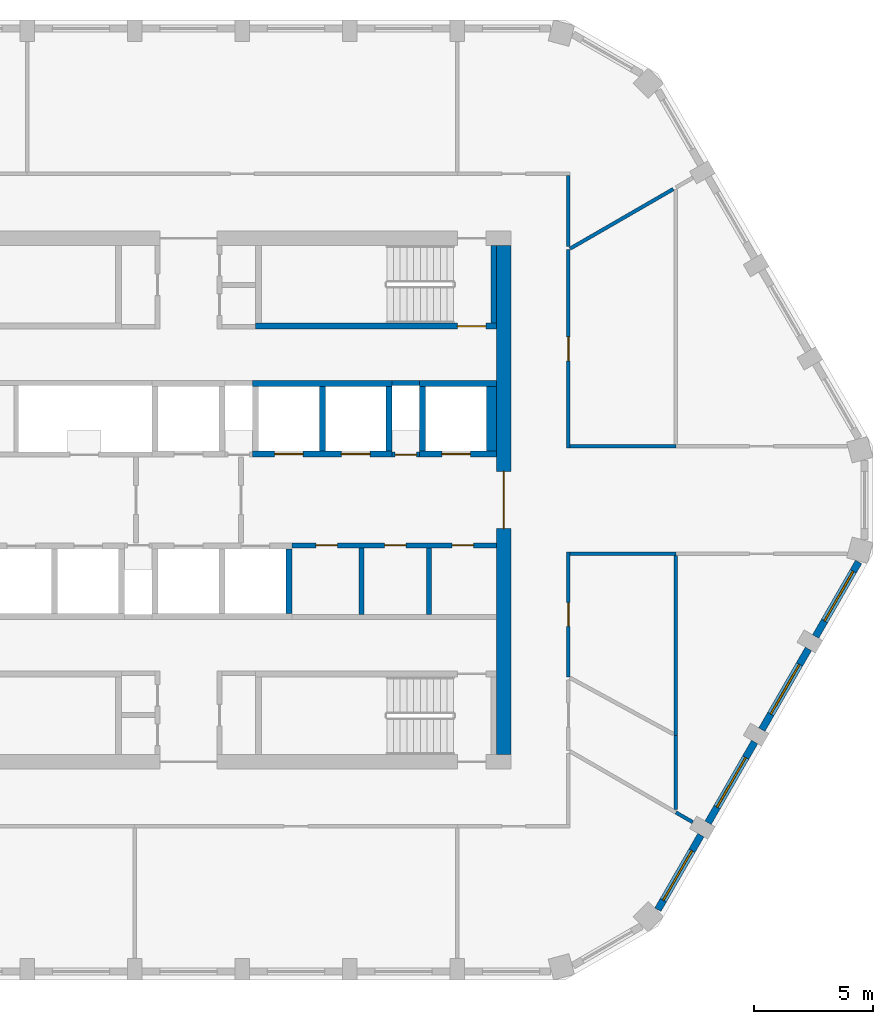
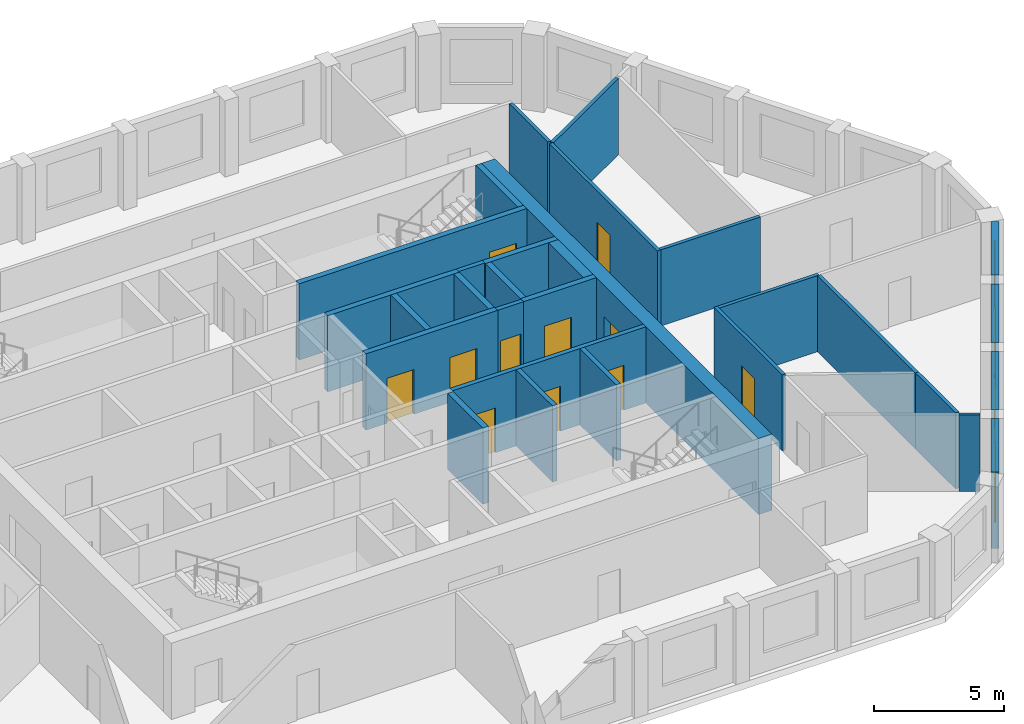
# One storey, part 5 of 9: 30 walls, 11 doors, 4 windows, 15 openings.
"""IFC4 building model written with IfcOpenShell, lengths in metres."""

from ifc_helpers import new_model, si_unit, direction, frame, frame_2d, origin, place, context, subcontext, project, spatial, polyline, rectangle, outline, extrude, material, layer, layer_set, type_object, element, fill, save


model = new_model("IFC4")

# Units and contexts
model_context = context("Model", 3, precision=1e-05, world=origin(), true_north=direction((0.0, 1.0)))
body_context = subcontext(model_context, "Body", "Model", "MODEL_VIEW")
ifc_project = project(units=[si_unit("LENGTHUNIT", "METRE"), si_unit("AREAUNIT", "SQUARE_METRE"), si_unit("VOLUMEUNIT", "CUBIC_METRE"), si_unit("PLANEANGLEUNIT", "RADIAN"), si_unit("MASSUNIT", "GRAM", prefix="KILO")], contexts=[model_context])

# Site, building, storey
site_placement = place(None, origin())
site = spatial("IfcSite", under=ifc_project, at=site_placement, CompositionType="ELEMENT")
building_placement = place(site_placement, origin())
building = spatial("IfcBuilding", under=site, at=building_placement, Name="Dhurran Vertical Campus", CompositionType="ELEMENT")
storey_placement = place(building_placement, frame((0.0, 0.0, 290.39990234375)))
storey = spatial("IfcBuildingStorey", under=building, at=storey_placement, Name="L72", CompositionType="ELEMENT", Elevation=290.39990234375)

# Wall, opening, window
ifc_material_1 = material(Name="Precast concrete C50/60", Category="concrete")
ifc_layer_1 = layer(ifc_material_1, 0.300048828125)
ifc_layer_set_1 = layer_set([ifc_layer_1], Name="Precast concrete C50/60")
wall_type_1 = type_object("IfcWallType", Name="Precast spandrel wall 300", PredefinedType="SOLIDWALL", material=ifc_layer_set_1)
wall_1_placement = place(storey_placement, frame((19.64404296875, -17.143798828125, 0.0), z_axis=(0.0, 0.0, 1.0), x_axis=(0.50001992892, 0.866013897511, 0.0)))
wall_1 = element("IfcWall", 1, at=wall_1_placement, inside=storey, type_object=wall_type_1, Name="EW1 L72.08", PredefinedType="SOLIDWALL", context=body_context, shape_type="SweptSolid", body=[
    extrude(rectangle(XDim=3.599365234375, YDim=0.300048828125, at=frame_2d((1.7998046875, 0.0))), origin(), (0.0, 0.0, 1.0), 3.5751953125),
])
opening_1_placement = place(wall_1_placement, frame((0.449951171875, 0.0, 0.89990234375)))
opening_1 = element("IfcOpeningElement", 2, at=opening_1_placement, cuts=wall_1, Name="Opening WT1", PredefinedType="OPENING", context=body_context, shape_type="SweptSolid", body=[
    extrude(rectangle(XDim=2.39990234375, YDim=2.10009765625, at=frame_2d((1.199951171875, 1.050048828125))), frame((0.0, 0.159912109375, 0.0), z_axis=(0.0, -1.0, 0.0), x_axis=(1.0, 0.0, 0.0)), (0.0, 0.0, 1.0), 0.320068359375),
])
ifc_material_2 = material(Name="Aluminium frame with solar-control glass", Category="aluminium")
window_type = type_object("IfcWindowType", Name="Punched window 2400 x 2100", PartitioningType="SINGLE_PANEL", PredefinedType="WINDOW", material=ifc_material_2)
window_1_placement = place(opening_1_placement, origin())
window_1 = element("IfcWindow", 3, at=window_1_placement, inside=storey, type_object=window_type, Name="WT1 L72.08", OverallHeight=2.10009765625, OverallWidth=2.39990234375, PartitioningType="SINGLE_PANEL", PredefinedType="WINDOW", context=body_context, shape_type="SweptSolid", body=[
    extrude(rectangle(XDim=2.39990234375, YDim=2.10009765625, at=frame_2d((1.199951171875, 1.050048828125))), frame((0.0, 0.030029296875, 0.0), z_axis=(0.0, -1.0, 0.0), x_axis=(1.0, 0.0, 0.0)), (0.0, 0.0, 1.0), 0.06005859375),
])
fill(opening_1, window_1)

wall_2_placement = place(storey_placement, frame((21.744384765625, -13.506103515625, 0.0), z_axis=(0.0, 0.0, 1.0), x_axis=(0.499984428715, 0.866034393683, 0.0)))
wall_2 = element("IfcWall", 4, at=wall_2_placement, inside=storey, type_object=wall_type_1, Name="EW1 L72.09", PredefinedType="SOLIDWALL", context=body_context, shape_type="SweptSolid", body=[
    extrude(rectangle(XDim=3.89892578125, YDim=0.300048828125, at=frame_2d((1.949462890625, 0.0))), origin(), (0.0, 0.0, 1.0), 3.5751953125),
])
opening_2_placement = place(wall_2_placement, frame((0.74951171875, 0.0, 0.89990234375)))
opening_2 = element("IfcOpeningElement", 5, at=opening_2_placement, cuts=wall_2, Name="Opening WT1", PredefinedType="OPENING", context=body_context, shape_type="SweptSolid", body=[
    extrude(rectangle(XDim=2.39990234375, YDim=2.10009765625, at=frame_2d((1.199951171875, 1.050048828125))), frame((0.0, 0.159912109375, 0.0), z_axis=(0.0, -1.0, 0.0), x_axis=(1.0, 0.0, 0.0)), (0.0, 0.0, 1.0), 0.320068359375),
])
window_2_placement = place(opening_2_placement, origin())
window_2 = element("IfcWindow", 6, at=window_2_placement, inside=storey, type_object=window_type, Name="WT1 L72.09", OverallHeight=2.10009765625, OverallWidth=2.39990234375, PartitioningType="SINGLE_PANEL", PredefinedType="WINDOW", context=body_context, shape_type="SweptSolid", body=[
    extrude(rectangle(XDim=2.39990234375, YDim=2.10009765625, at=frame_2d((1.199951171875, 1.050048828125))), frame((0.0, 0.030029296875, 0.0), z_axis=(0.0, -1.0, 0.0), x_axis=(1.0, 0.0, 0.0)), (0.0, 0.0, 1.0), 0.06005859375),
])
fill(opening_2, window_2)

wall_3_placement = place(storey_placement, frame((23.994384765625, -9.60888671875, 0.0), z_axis=(0.0, 0.0, 1.0), x_axis=(0.500011542666, 0.866018739521, 0.0)))
wall_3 = element("IfcWall", 7, at=wall_3_placement, inside=storey, type_object=wall_type_1, Name="EW1 L72.10", PredefinedType="SOLIDWALL", context=body_context, shape_type="SweptSolid", body=[
    extrude(rectangle(XDim=3.89892578125, YDim=0.300048828125, at=frame_2d((1.949462890625, 0.0))), origin(), (0.0, 0.0, 1.0), 3.5751953125),
])
opening_3_placement = place(wall_3_placement, frame((0.74951171875, 0.0, 0.89990234375)))
opening_3 = element("IfcOpeningElement", 8, at=opening_3_placement, cuts=wall_3, Name="Opening WT1", PredefinedType="OPENING", context=body_context, shape_type="SweptSolid", body=[
    extrude(rectangle(XDim=2.39990234375, YDim=2.10009765625, at=frame_2d((1.199951171875, 1.050048828125))), frame((0.0, 0.159912109375, 0.0), z_axis=(0.0, -1.0, 0.0), x_axis=(1.0, 0.0, 0.0)), (0.0, 0.0, 1.0), 0.320068359375),
])
window_3_placement = place(opening_3_placement, origin())
window_3 = element("IfcWindow", 9, at=window_3_placement, inside=storey, type_object=window_type, Name="WT1 L72.10", OverallHeight=2.10009765625, OverallWidth=2.39990234375, PartitioningType="SINGLE_PANEL", PredefinedType="WINDOW", context=body_context, shape_type="SweptSolid", body=[
    extrude(rectangle(XDim=2.39990234375, YDim=2.10009765625, at=frame_2d((1.199951171875, 1.050048828125))), frame((0.0, 0.030029296875, 0.0), z_axis=(0.0, -1.0, 0.0), x_axis=(1.0, 0.0, 0.0)), (0.0, 0.0, 1.0), 0.06005859375),
])
fill(opening_3, window_3)

wall_4_placement = place(storey_placement, frame((26.244384765625, -5.7119140625, 0.0), z_axis=(0.0, 0.0, 1.0), x_axis=(0.499969057507, 0.866043267704, 0.0)))
wall_4 = element("IfcWall", 10, at=wall_4_placement, inside=storey, type_object=wall_type_1, Name="EW1 L72.11", PredefinedType="SOLIDWALL", context=body_context, shape_type="SweptSolid", body=[
    extrude(rectangle(XDim=3.599365234375, YDim=0.300048828125, at=frame_2d((1.7998046875, 0.0))), origin(), (0.0, 0.0, 1.0), 3.5751953125),
])
opening_4_placement = place(wall_4_placement, frame((0.74951171875, 0.0, 0.89990234375)))
opening_4 = element("IfcOpeningElement", 11, at=opening_4_placement, cuts=wall_4, Name="Opening WT1", PredefinedType="OPENING", context=body_context, shape_type="SweptSolid", body=[
    extrude(rectangle(XDim=2.39990234375, YDim=2.10009765625, at=frame_2d((1.199951171875, 1.050048828125))), frame((0.0, 0.159912109375, 0.0), z_axis=(0.0, -1.0, 0.0), x_axis=(1.0, 0.0, 0.0)), (0.0, 0.0, 1.0), 0.320068359375),
])
window_4_placement = place(opening_4_placement, origin())
window_4 = element("IfcWindow", 12, at=window_4_placement, inside=storey, type_object=window_type, Name="WT1 L72.11", OverallHeight=2.10009765625, OverallWidth=2.39990234375, PartitioningType="SINGLE_PANEL", PredefinedType="WINDOW", context=body_context, shape_type="SweptSolid", body=[
    extrude(rectangle(XDim=2.39990234375, YDim=2.10009765625, at=frame_2d((1.199951171875, 1.050048828125))), frame((0.0, 0.030029296875, 0.0), z_axis=(0.0, -1.0, 0.0), x_axis=(1.0, 0.0, 0.0)), (0.0, 0.0, 1.0), 0.06005859375),
])
fill(opening_4, window_4)

# Wall, opening, door
ifc_material_3 = material(Name="Concrete C50/60", Category="concrete")
ifc_layer_2 = layer(ifc_material_3, 0.60009765625)
ifc_layer_set_2 = layer_set([ifc_layer_2], Name="Concrete C50/60")
wall_type_2 = type_object("IfcWallType", Name="co-CORE-WALL-C2-600", PredefinedType="SHEAR", material=ifc_layer_set_2)
wall_5_placement = place(storey_placement, frame((13.199951171875, -10.64990234375, 0.0), z_axis=(0.0, 0.0, 1.0), x_axis=(0.0, 1.0, 0.0)))
wall_5 = element("IfcWall", 13, at=wall_5_placement, inside=storey, type_object=wall_type_2, Name="Core wall E L72", PredefinedType="SHEAR", context=body_context, shape_type="SweptSolid", body=[
    extrude(rectangle(XDim=21.2998046875, YDim=0.60009765625, at=frame_2d((10.64990234375, 0.0))), origin(), (0.0, 0.0, 1.0), 3.5751953125),
])
opening_5_placement = place(wall_5_placement, frame((9.449951171875, 0.0, 0.0)))
opening_5 = element("IfcOpeningElement", 14, at=opening_5_placement, cuts=wall_5, Name="Opening CL2", PredefinedType="OPENING", context=body_context, shape_type="SweptSolid", body=[
    extrude(rectangle(XDim=2.39990234375, YDim=2.10009765625, at=frame_2d((1.199951171875, 1.050048828125))), frame((0.0, 0.31005859375, 0.0), z_axis=(0.0, -1.0, 0.0), x_axis=(1.0, 0.0, 0.0)), (0.0, 0.0, 1.0), 0.6201171875),
])
ifc_material_4 = material(Name="Fire-rated glazed door set")
door_type_1 = type_object("IfcDoorType", Name="co-D-LOBBY 2400x2100", OperationType="DOUBLE_DOOR_DOUBLE_SWING", PredefinedType="DOOR", material=ifc_material_4)
door_1_placement = place(opening_5_placement, origin())
door_1 = element("IfcDoor", 15, at=door_1_placement, inside=storey, type_object=door_type_1, Name="Lift lobby door E L72", OperationType="DOUBLE_DOOR_DOUBLE_SWING", OverallHeight=2.10009765625, OverallWidth=2.39990234375, PredefinedType="DOOR", context=body_context, shape_type="SweptSolid", body=[
    extrude(rectangle(XDim=2.39990234375, YDim=2.10009765625, at=frame_2d((1.199951171875, 1.050048828125))), frame((0.0, 0.02490234375, 0.0), z_axis=(0.0, -1.0, 0.0), x_axis=(1.0, 0.0, 0.0)), (0.0, 0.0, 1.0), 0.050048828125),
])
fill(opening_5, door_1)

ifc_material_5 = material(Name="Fire-rated masonry blockwork", Category="masonry")
ifc_layer_3 = layer(ifc_material_5, 0.199951171875)
ifc_layer_set_3 = layer_set([ifc_layer_3], Name="Fire-rated masonry blockwork")
wall_type_3 = type_object("IfcWallType", Name="co-FIRE-PARTITION-200", PredefinedType="PARTITIONING", material=ifc_layer_set_3)
wall_6_placement = place(storey_placement, frame((8.52490234375, 1.89990234375, 0.0), z_axis=(0.0, 0.0, 1.0), x_axis=(1.0, 0.0, 0.0)))
wall_6 = element("IfcWall", 16, at=wall_6_placement, inside=storey, type_object=wall_type_3, Name="Core partition fr-N2-f L72", PredefinedType="PARTITIONING", context=body_context, shape_type="SweptSolid", body=[
    extrude(rectangle(XDim=1.150146484375, YDim=0.199951171875, at=frame_2d((0.5751953125, 0.0))), origin(), (0.0, 0.0, 1.0), 3.5751953125),
])
opening_6_placement = place(wall_6_placement, frame((0.125, 0.0, 0.0)))
opening_6 = element("IfcOpeningElement", 17, at=opening_6_placement, cuts=wall_6, Name="Opening T21-C10", PredefinedType="OPENING", context=body_context, shape_type="SweptSolid", body=[
    extrude(rectangle(XDim=0.89990234375, YDim=2.10009765625, at=frame_2d((0.449951171875, 1.050048828125))), frame((0.0, 0.10986328125, 0.0), z_axis=(0.0, -1.0, 0.0), x_axis=(1.0, 0.0, 0.0)), (0.0, 0.0, 1.0), 0.219970703125),
])
ifc_material_6 = material(Name="Fire-rated timber door set", Category="wood")
door_type_2 = type_object("IfcDoorType", Name="co-D-ROOM 900x2100", OperationType="SINGLE_SWING_LEFT", PredefinedType="DOOR", material=ifc_material_6)
door_2_placement = place(opening_6_placement, origin())
door_2 = element("IfcDoor", 18, at=door_2_placement, inside=storey, type_object=door_type_2, Name="Communications riser door L72", OperationType="SINGLE_SWING_LEFT", OverallHeight=2.10009765625, OverallWidth=0.89990234375, PredefinedType="DOOR", context=body_context, shape_type="SweptSolid", body=[
    extrude(rectangle(XDim=0.89990234375, YDim=2.10009765625, at=frame_2d((0.449951171875, 1.050048828125))), frame((0.0, 0.02490234375, 0.0), z_axis=(0.0, -1.0, 0.0), x_axis=(1.0, 0.0, 0.0)), (0.0, 0.0, 1.0), 0.050048828125),
])
fill(opening_6, door_2)

# Walls
wall_7_placement = place(storey_placement, frame((8.52490234375, 4.89990234375, 0.0), z_axis=(0.0, 0.0, 1.0), x_axis=(1.0, 0.0, 0.0)))
element("IfcWall", 19, at=wall_7_placement, inside=storey, type_object=wall_type_3, Name="Core partition fr-N2-b L72", PredefinedType="PARTITIONING", context=body_context, shape_type="SweptSolid", body=[
    extrude(rectangle(XDim=1.150146484375, YDim=0.199951171875, at=frame_2d((0.5751953125, 0.0))), origin(), (0.0, 0.0, 1.0), 3.5751953125),
])
for number, where, z_axis, x_axis, name in (
    (20, (7.240478515625, -4.800048828125, 0.0), (0.0, 0.0, 1.0), (0.0, 1.0, 0.0), "Core partition fr-S2-cut0 L72"),
    (21, (10.0703125, -4.800048828125, 0.0), (0.0, 0.0, 1.0), (0.0, 1.0, 0.0), "Core partition fr-S2-cut1 L72"),
):
    element("IfcWall", number, at=place(storey_placement, frame(where, z_axis=z_axis, x_axis=x_axis)), inside=storey, type_object=wall_type_3, Name=name, PredefinedType="PARTITIONING", context=body_context, shape_type="SweptSolid", body=[
        extrude(rectangle(XDim=2.800048828125, YDim=0.199951171875, at=frame_2d((1.39990234375, 0.0))), origin(), (0.0, 0.0, 1.0), 3.5751953125),
    ])

# Wall, openings, doors
wall_8_placement = place(storey_placement, frame((4.324951171875, -1.89990234375, 0.0), z_axis=(0.0, 0.0, 1.0), x_axis=(1.0, 0.0, 0.0)))
wall_8 = element("IfcWall", 22, at=wall_8_placement, inside=storey, type_object=wall_type_3, Name="Core partition fr-S2-f L72", PredefinedType="PARTITIONING", context=body_context, shape_type="SweptSolid", body=[
    extrude(rectangle(XDim=8.574951171875, YDim=0.199951171875, at=frame_2d((4.28759765625, 0.0))), origin(), (0.0, 0.0, 1.0), 3.5751953125),
])
opening_7_placement = place(wall_8_placement, frame((1.0078125, 0.0, 0.0)))
opening_7 = element("IfcOpeningElement", 23, at=opening_7_placement, cuts=wall_8, Name="Opening T21-C13", PredefinedType="OPENING", context=body_context, shape_type="SweptSolid", body=[
    extrude(rectangle(XDim=0.89990234375, YDim=2.10009765625, at=frame_2d((0.449951171875, 1.050048828125))), frame((0.0, 0.10986328125, 0.0), z_axis=(0.0, -1.0, 0.0), x_axis=(1.0, 0.0, 0.0)), (0.0, 0.0, 1.0), 0.219970703125),
])
opening_8_placement = place(wall_8_placement, frame((3.88037109375, 0.0, 0.0)))
opening_8 = element("IfcOpeningElement", 24, at=opening_8_placement, cuts=wall_8, Name="Opening T21-C14", PredefinedType="OPENING", context=body_context, shape_type="SweptSolid", body=[
    extrude(rectangle(XDim=0.89990234375, YDim=2.10009765625, at=frame_2d((0.449951171875, 1.050048828125))), frame((0.0, 0.10986328125, 0.0), z_axis=(0.0, -1.0, 0.0), x_axis=(1.0, 0.0, 0.0)), (0.0, 0.0, 1.0), 0.219970703125),
])
opening_9_placement = place(wall_8_placement, frame((6.710205078125, 0.0, 0.0)))
opening_9 = element("IfcOpeningElement", 25, at=opening_9_placement, cuts=wall_8, Name="Opening T21-C15", PredefinedType="OPENING", context=body_context, shape_type="SweptSolid", body=[
    extrude(rectangle(XDim=0.89990234375, YDim=2.10009765625, at=frame_2d((0.449951171875, 1.050048828125))), frame((0.0, 0.10986328125, 0.0), z_axis=(0.0, -1.0, 0.0), x_axis=(1.0, 0.0, 0.0)), (0.0, 0.0, 1.0), 0.219970703125),
])
door_3_placement = place(opening_7_placement, origin())
door_3 = element("IfcDoor", 26, at=door_3_placement, inside=storey, type_object=door_type_2, Name="Housekeeping store door L72", OperationType="SINGLE_SWING_LEFT", OverallHeight=2.10009765625, OverallWidth=0.89990234375, PredefinedType="DOOR", context=body_context, shape_type="SweptSolid", body=[
    extrude(rectangle(XDim=0.89990234375, YDim=2.10009765625, at=frame_2d((0.449951171875, 1.050048828125))), frame((0.0, 0.02490234375, 0.0), z_axis=(0.0, -1.0, 0.0), x_axis=(1.0, 0.0, 0.0)), (0.0, 0.0, 1.0), 0.050048828125),
])
fill(opening_7, door_3)
door_4_placement = place(opening_8_placement, origin())
door_4 = element("IfcDoor", 27, at=door_4_placement, inside=storey, type_object=door_type_2, Name="Print room door L72", OperationType="SINGLE_SWING_LEFT", OverallHeight=2.10009765625, OverallWidth=0.89990234375, PredefinedType="DOOR", context=body_context, shape_type="SweptSolid", body=[
    extrude(rectangle(XDim=0.89990234375, YDim=2.10009765625, at=frame_2d((0.449951171875, 1.050048828125))), frame((0.0, 0.02490234375, 0.0), z_axis=(0.0, -1.0, 0.0), x_axis=(1.0, 0.0, 0.0)), (0.0, 0.0, 1.0), 0.050048828125),
])
fill(opening_8, door_4)
door_5_placement = place(opening_9_placement, origin())
door_5 = element("IfcDoor", 28, at=door_5_placement, inside=storey, type_object=door_type_2, Name="Communications room door L72", OperationType="SINGLE_SWING_LEFT", OverallHeight=2.10009765625, OverallWidth=0.89990234375, PredefinedType="DOOR", context=body_context, shape_type="SweptSolid", body=[
    extrude(rectangle(XDim=0.89990234375, YDim=2.10009765625, at=frame_2d((0.449951171875, 1.050048828125))), frame((0.0, 0.02490234375, 0.0), z_axis=(0.0, -1.0, 0.0), x_axis=(1.0, 0.0, 0.0)), (0.0, 0.0, 1.0), 0.050048828125),
])
fill(opening_9, door_5)

ifc_material_7 = material(Name="Concrete C50/60", Category="concrete")
ifc_layer_4 = layer(ifc_material_7, 0.25)
ifc_layer_set_4 = layer_set([ifc_layer_4], Name="Concrete C50/60")
wall_type_4 = type_object("IfcWallType", Name="co-SHAFT-FRONT-250", PredefinedType="SHEAR", material=ifc_layer_set_4)
wall_9_placement = place(storey_placement, frame((2.675048828125, 1.925048828125, 0.0), z_axis=(0.0, 0.0, 1.0), x_axis=(1.0, 0.0, 0.0)))
wall_9 = element("IfcWall", 29, at=wall_9_placement, inside=storey, type_object=wall_type_4, Name="Lift landing wall N L72", PredefinedType="SHEAR", context=body_context, shape_type="SweptSolid", body=[
    extrude(rectangle(XDim=5.849853515625, YDim=0.25, at=frame_2d((2.9248046875, 0.0))), origin(), (0.0, 0.0, 1.0), 3.5751953125),
])
opening_10_placement = place(wall_9_placement, frame((0.925048828125, 0.0, 0.0)))
opening_10 = element("IfcOpeningElement", 30, at=opening_10_placement, cuts=wall_9, Name="Opening LD", PredefinedType="OPENING", context=body_context, shape_type="SweptSolid", body=[
    extrude(rectangle(XDim=1.199951171875, YDim=2.10009765625, at=frame_2d((0.60009765625, 1.050048828125))), frame((0.0, 0.135009765625, 0.0), z_axis=(0.0, -1.0, 0.0), x_axis=(1.0, 0.0, 0.0)), (0.0, 0.0, 1.0), 0.27001953125),
])
opening_11_placement = place(wall_9_placement, frame((3.72509765625, 0.0, 0.0)))
opening_11 = element("IfcOpeningElement", 31, at=opening_11_placement, cuts=wall_9, Name="Opening LD", PredefinedType="OPENING", context=body_context, shape_type="SweptSolid", body=[
    extrude(rectangle(XDim=1.199951171875, YDim=2.10009765625, at=frame_2d((0.60009765625, 1.050048828125))), frame((0.0, 0.135009765625, 0.0), z_axis=(0.0, -1.0, 0.0), x_axis=(1.0, 0.0, 0.0)), (0.0, 0.0, 1.0), 0.27001953125),
])
ifc_material_8 = material(Name="Stainless steel landing door", Category="steel")
door_type_3 = type_object("IfcDoorType", Name="co-D-LANDING 1200x2100", OperationType="DOUBLE_DOOR_SLIDING", PredefinedType="DOOR", material=ifc_material_8)
door_6_placement = place(opening_10_placement, origin())
door_6 = element("IfcDoor", 32, at=door_6_placement, inside=storey, type_object=door_type_3, Name="Landing door HR1 L72", OperationType="DOUBLE_DOOR_SLIDING", OverallHeight=2.10009765625, OverallWidth=1.199951171875, PredefinedType="DOOR", context=body_context, shape_type="SweptSolid", body=[
    extrude(rectangle(XDim=1.199951171875, YDim=2.10009765625, at=frame_2d((0.60009765625, 1.050048828125))), frame((0.0, 0.02490234375, 0.0), z_axis=(0.0, -1.0, 0.0), x_axis=(1.0, 0.0, 0.0)), (0.0, 0.0, 1.0), 0.050048828125),
])
fill(opening_10, door_6)
door_7_placement = place(opening_11_placement, origin())
door_7 = element("IfcDoor", 33, at=door_7_placement, inside=storey, type_object=door_type_3, Name="Landing door HR2 L72", OperationType="DOUBLE_DOOR_SLIDING", OverallHeight=2.10009765625, OverallWidth=1.199951171875, PredefinedType="DOOR", context=body_context, shape_type="SweptSolid", body=[
    extrude(rectangle(XDim=1.199951171875, YDim=2.10009765625, at=frame_2d((0.60009765625, 1.050048828125))), frame((0.0, 0.02490234375, 0.0), z_axis=(0.0, -1.0, 0.0), x_axis=(1.0, 0.0, 0.0)), (0.0, 0.0, 1.0), 0.050048828125),
])
fill(opening_11, door_7)

# Wall, opening, door
wall_10_placement = place(storey_placement, frame((9.675048828125, 1.925048828125, 0.0), z_axis=(0.0, 0.0, 1.0), x_axis=(1.0, 0.0, 0.0)))
wall_10 = element("IfcWall", 34, at=wall_10_placement, inside=storey, type_object=wall_type_4, Name="Lift landing wall N L72", PredefinedType="SHEAR", context=body_context, shape_type="SweptSolid", body=[
    extrude(rectangle(XDim=3.224853515625, YDim=0.25, at=frame_2d((1.6123046875, 0.0))), origin(), (0.0, 0.0, 1.0), 3.5751953125),
])
opening_12_placement = place(wall_10_placement, frame((0.925048828125, 0.0, 0.0)))
opening_12 = element("IfcOpeningElement", 35, at=opening_12_placement, cuts=wall_10, Name="Opening LD", PredefinedType="OPENING", context=body_context, shape_type="SweptSolid", body=[
    extrude(rectangle(XDim=1.199951171875, YDim=2.10009765625, at=frame_2d((0.60009765625, 1.050048828125))), frame((0.0, 0.135009765625, 0.0), z_axis=(0.0, -1.0, 0.0), x_axis=(1.0, 0.0, 0.0)), (0.0, 0.0, 1.0), 0.27001953125),
])
door_8_placement = place(opening_12_placement, origin())
door_8 = element("IfcDoor", 36, at=door_8_placement, inside=storey, type_object=door_type_3, Name="Landing door SV2 L72", OperationType="DOUBLE_DOOR_SLIDING", OverallHeight=2.10009765625, OverallWidth=1.199951171875, PredefinedType="DOOR", context=body_context, shape_type="SweptSolid", body=[
    extrude(rectangle(XDim=1.199951171875, YDim=2.10009765625, at=frame_2d((0.60009765625, 1.050048828125))), frame((0.0, 0.02490234375, 0.0), z_axis=(0.0, -1.0, 0.0), x_axis=(1.0, 0.0, 0.0)), (0.0, 0.0, 1.0), 0.050048828125),
])
fill(opening_12, door_8)

# Walls
ifc_material_9 = material(Name="Concrete C50/60", Category="concrete")
ifc_layer_5 = layer(ifc_material_9, 0.25)
ifc_layer_set_5 = layer_set([ifc_layer_5], Name="Concrete C50/60")
wall_type_5 = type_object("IfcWallType", Name="co-SHAFT-MASS-250", PredefinedType="SHEAR", material=ifc_layer_set_5)
wall_11_placement = place(storey_placement, origin())
element("IfcWall", 37, at=wall_11_placement, inside=storey, type_object=wall_type_5, Name="Lift shaft wall N L72 2", PredefinedType="SHEAR", context=body_context, shape_type="SweptSolid", body=[
    extrude(outline(polyline([(2.675048828125, 4.75), (8.52490234375, 4.75), (8.52490234375, 5.0), (2.675048828125, 5.0), (2.675048828125, 4.75)])), origin(), (0.0, 0.0, 1.0), 3.5751953125),
])
wall_12_placement = place(storey_placement, origin())
element("IfcWall", 38, at=wall_12_placement, inside=storey, type_object=wall_type_5, Name="Lift shaft wall N L72 3", PredefinedType="SHEAR", context=body_context, shape_type="SweptSolid", body=[
    extrude(outline(polyline([(9.675048828125, 4.75), (12.89990234375, 4.75), (12.89990234375, 5.0), (9.675048828125, 5.0), (9.675048828125, 4.75)])), origin(), (0.0, 0.0, 1.0), 3.5751953125),
])
wall_13_placement = place(storey_placement, origin())
element("IfcWall", 39, at=wall_13_placement, inside=storey, type_object=wall_type_5, Name="Lift shaft wall N L72 7", PredefinedType="SHEAR", context=body_context, shape_type="SweptSolid", body=[
    extrude(outline(polyline([(5.47509765625, 2.050048828125), (5.72509765625, 2.050048828125), (5.72509765625, 4.75), (5.47509765625, 4.75), (5.47509765625, 2.050048828125)])), origin(), (0.0, 0.0, 1.0), 3.5751953125),
])
wall_14_placement = place(storey_placement, origin())
element("IfcWall", 40, at=wall_14_placement, inside=storey, type_object=wall_type_5, Name="Lift shaft wall N L72 8", PredefinedType="SHEAR", context=body_context, shape_type="SweptSolid", body=[
    extrude(outline(polyline([(8.27490234375, 2.050048828125), (8.52490234375, 2.050048828125), (8.52490234375, 4.75), (8.27490234375, 4.75), (8.27490234375, 2.050048828125)])), origin(), (0.0, 0.0, 1.0), 3.5751953125),
])
wall_15_placement = place(storey_placement, origin())
element("IfcWall", 41, at=wall_15_placement, inside=storey, type_object=wall_type_5, Name="Lift shaft wall N L72 9", PredefinedType="SHEAR", context=body_context, shape_type="SweptSolid", body=[
    extrude(outline(polyline([(9.675048828125, 2.050048828125), (9.925048828125, 2.050048828125), (9.925048828125, 4.75), (9.675048828125, 4.75), (9.675048828125, 2.050048828125)])), origin(), (0.0, 0.0, 1.0), 3.5751953125),
])
wall_16_placement = place(storey_placement, origin())
element("IfcWall", 42, at=wall_16_placement, inside=storey, type_object=wall_type_5, Name="Lift shaft wall N L72 10", PredefinedType="SHEAR", context=body_context, shape_type="SweptSolid", body=[
    extrude(outline(polyline([(12.47509765625, 2.050048828125), (12.89990234375, 2.050048828125), (12.89990234375, 4.75), (12.47509765625, 4.75), (12.47509765625, 2.050048828125)])), origin(), (0.0, 0.0, 1.0), 3.5751953125),
])
wall_17_placement = place(storey_placement, origin())
element("IfcWall", 43, at=wall_17_placement, inside=storey, type_object=wall_type_5, Name="Lift shaft wall S L72 9", PredefinedType="SHEAR", context=body_context, shape_type="SweptSolid", body=[
    extrude(outline(polyline([(4.074951171875, -4.75), (4.324951171875, -4.75), (4.324951171875, -2.050048828125), (4.074951171875, -2.050048828125), (4.074951171875, -4.75)])), origin(), (0.0, 0.0, 1.0), 3.5751953125),
])

# Wall, opening, door
ifc_material_10 = material(Name="Concrete C40/50", Category="concrete")
ifc_layer_6 = layer(ifc_material_10, 0.25)
ifc_layer_set_6 = layer_set([ifc_layer_6], Name="Concrete C40/50")
wall_type_6 = type_object("IfcWallType", Name="co-STAIR-WALL-250", PredefinedType="SHEAR", material=ifc_layer_set_6)
wall_18_placement = place(storey_placement, frame((2.800048828125, 7.27490234375, 0.0), z_axis=(0.0, 0.0, 1.0), x_axis=(1.0, 0.0, 0.0)))
wall_18 = element("IfcWall", 44, at=wall_18_placement, inside=storey, type_object=wall_type_6, Name="Stair ST2 enclosure wall L72", PredefinedType="SHEAR", context=body_context, shape_type="SweptSolid", body=[
    extrude(rectangle(XDim=10.099853515625, YDim=0.25, at=frame_2d((5.0498046875, 0.0))), origin(), (0.0, 0.0, 1.0), 3.5751953125),
])
opening_13_placement = place(wall_18_placement, frame((8.449951171875, 0.0, 0.0)))
opening_13 = element("IfcOpeningElement", 45, at=opening_13_placement, cuts=wall_18, Name="Opening SD2", PredefinedType="OPENING", context=body_context, shape_type="SweptSolid", body=[
    extrude(rectangle(XDim=1.199951171875, YDim=2.10009765625, at=frame_2d((0.60009765625, 1.050048828125))), frame((0.0, 0.135009765625, 0.0), z_axis=(0.0, -1.0, 0.0), x_axis=(1.0, 0.0, 0.0)), (0.0, 0.0, 1.0), 0.27001953125),
])
ifc_material_11 = material(Name="Fire-rated steel door set", Category="steel")
door_type_4 = type_object("IfcDoorType", Name="co-D-STAIR 1200x2100", OperationType="SINGLE_SWING_LEFT", PredefinedType="DOOR", material=ifc_material_11)
door_9_placement = place(opening_13_placement, origin())
door_9 = element("IfcDoor", 46, at=door_9_placement, inside=storey, type_object=door_type_4, Name="Stair ST2 door L72", OperationType="SINGLE_SWING_LEFT", OverallHeight=2.10009765625, OverallWidth=1.199951171875, PredefinedType="DOOR", context=body_context, shape_type="SweptSolid", body=[
    extrude(rectangle(XDim=1.199951171875, YDim=2.10009765625, at=frame_2d((0.60009765625, 1.050048828125))), frame((0.0, 0.02490234375, 0.0), z_axis=(0.0, -1.0, 0.0), x_axis=(1.0, 0.0, 0.0)), (0.0, 0.0, 1.0), 0.050048828125),
])
fill(opening_13, door_9)

# Wall
wall_19_placement = place(storey_placement, frame((12.77490234375, 7.39990234375, 0.0), z_axis=(0.0, 0.0, 1.0), x_axis=(0.0, 1.0, 0.0)))
element("IfcWall", 47, at=wall_19_placement, inside=storey, type_object=wall_type_6, Name="Stair ST2 enclosure wall L72", PredefinedType="SHEAR", context=body_context, shape_type="SweptSolid", body=[
    extrude(rectangle(XDim=3.25, YDim=0.25, at=frame_2d((1.625, 0.0))), origin(), (0.0, 0.0, 1.0), 3.5751953125),
])

# Wall, opening, door
ifc_material_12 = material(Name="Gypsum board corridor wall on steel studs", Category="steel")
ifc_layer_7 = layer(ifc_material_12, 0.14990234375)
ifc_layer_set_7 = layer_set([ifc_layer_7], Name="Gypsum board corridor wall on steel studs")
wall_type_7 = type_object("IfcWallType", Name="fl-CW-150 corridor wall", PredefinedType="PARTITIONING", material=ifc_layer_set_7)
wall_20_placement = place(storey_placement, frame((15.89990234375, -7.406005859375, 0.0), z_axis=(0.0, 0.0, 1.0), x_axis=(0.0, 1.0, 0.0)))
wall_20 = element("IfcWall", 48, at=wall_20_placement, inside=storey, type_object=wall_type_7, Name="Partition 72-25", PredefinedType="PARTITIONING", context=body_context, shape_type="SweptSolid", body=[
    extrude(rectangle(XDim=5.23095703125, YDim=0.14990234375, at=frame_2d((2.615478515625, 0.0))), origin(), (0.0, 0.0, 1.0), 3.5751953125),
])
opening_14_placement = place(wall_20_placement, frame((2.115478515625, 0.0, 0.0)))
opening_14 = element("IfcOpeningElement", 49, at=opening_14_placement, cuts=wall_20, Name="Opening T21.13", PredefinedType="OPENING", context=body_context, shape_type="SweptSolid", body=[
    extrude(rectangle(XDim=1.0, YDim=2.10009765625, at=frame_2d((0.5, 1.050048828125))), frame((0.0, 0.0849609375, 0.0), z_axis=(0.0, -1.0, 0.0), x_axis=(1.0, 0.0, 0.0)), (0.0, 0.0, 1.0), 0.169921875),
])
ifc_material_13 = material(Name="Solid-core timber door set, fire-rated", Category="wood")
door_type_5 = type_object("IfcDoorType", Name="fl-D-1000x2100", OperationType="SINGLE_SWING_LEFT", PredefinedType="DOOR", material=ifc_material_13)
door_10_placement = place(opening_14_placement, origin())
door_10 = element("IfcDoor", 50, at=door_10_placement, inside=storey, type_object=door_type_5, Name="Door 72.13", OperationType="SINGLE_SWING_RIGHT", OverallHeight=2.10009765625, OverallWidth=1.0, PredefinedType="DOOR", context=body_context, shape_type="SweptSolid", body=[
    extrude(rectangle(XDim=1.0, YDim=2.10009765625, at=frame_2d((0.5, 1.050048828125))), frame((0.0, 0.02490234375, 0.0), z_axis=(0.0, -1.0, 0.0), x_axis=(1.0, 0.0, 0.0)), (0.0, 0.0, 1.0), 0.050048828125),
])
fill(opening_14, door_10)

# Wall
wall_21_placement = place(storey_placement, frame((20.39990234375, -2.25, 0.0), z_axis=(0.0, 0.0, 1.0), x_axis=(-1.0, 0.0, 0.0)))
element("IfcWall", 51, at=wall_21_placement, inside=storey, type_object=wall_type_7, Name="Partition 72-27", PredefinedType="PARTITIONING", context=body_context, shape_type="SweptSolid", body=[
    extrude(rectangle(XDim=4.4248046875, YDim=0.14990234375, at=frame_2d((2.21240234375, 0.0))), origin(), (0.0, 0.0, 1.0), 3.5751953125),
])

# Wall, opening, door
wall_22_placement = place(storey_placement, frame((15.89990234375, 2.175048828125, 0.0), z_axis=(0.0, 0.0, 1.0), x_axis=(0.0, 1.0, 0.0)))
wall_22 = element("IfcWall", 52, at=wall_22_placement, inside=storey, type_object=wall_type_7, Name="Partition 72-28", PredefinedType="PARTITIONING", context=body_context, shape_type="SweptSolid", body=[
    extrude(rectangle(XDim=8.303955078125, YDim=0.14990234375, at=frame_2d((4.15185546875, 0.0))), origin(), (0.0, 0.0, 1.0), 3.5751953125),
])
opening_15_placement = place(wall_22_placement, frame((3.652099609375, 0.0, 0.0)))
opening_15 = element("IfcOpeningElement", 53, at=opening_15_placement, cuts=wall_22, Name="Opening T21.12", PredefinedType="OPENING", context=body_context, shape_type="SweptSolid", body=[
    extrude(rectangle(XDim=1.0, YDim=2.10009765625, at=frame_2d((0.5, 1.050048828125))), frame((0.0, 0.0849609375, 0.0), z_axis=(0.0, -1.0, 0.0), x_axis=(1.0, 0.0, 0.0)), (0.0, 0.0, 1.0), 0.169921875),
])
door_11_placement = place(opening_15_placement, origin())
door_11 = element("IfcDoor", 54, at=door_11_placement, inside=storey, type_object=door_type_5, Name="Door 72.12", OperationType="SINGLE_SWING_RIGHT", OverallHeight=2.10009765625, OverallWidth=1.0, PredefinedType="DOOR", context=body_context, shape_type="SweptSolid", body=[
    extrude(rectangle(XDim=1.0, YDim=2.10009765625, at=frame_2d((0.5, 1.050048828125))), frame((0.0, 0.02490234375, 0.0), z_axis=(0.0, -1.0, 0.0), x_axis=(1.0, 0.0, 0.0)), (0.0, 0.0, 1.0), 0.050048828125),
])
fill(opening_15, door_11)

# Walls
wall_23_placement = place(storey_placement, frame((15.97509765625, 2.25, 0.0), z_axis=(0.0, 0.0, 1.0), x_axis=(1.0, 0.0, 0.0)))
element("IfcWall", 55, at=wall_23_placement, inside=storey, type_object=wall_type_7, Name="Partition 72-29", PredefinedType="PARTITIONING", context=body_context, shape_type="SweptSolid", body=[
    extrude(rectangle(XDim=4.4248046875, YDim=0.14990234375, at=frame_2d((2.21240234375, 0.0))), origin(), (0.0, 0.0, 1.0), 3.5751953125),
])
wall_24_placement = place(storey_placement, frame((15.89990234375, 10.60888671875, 0.0), z_axis=(0.0, 0.0, 1.0), x_axis=(0.0, 1.0, 0.0)))
element("IfcWall", 56, at=wall_24_placement, inside=storey, type_object=wall_type_7, Name="Partition 72-30", PredefinedType="PARTITIONING", context=body_context, shape_type="SweptSolid", body=[
    extrude(rectangle(XDim=2.966064453125, YDim=0.14990234375, at=frame_2d((1.48291015625, 0.0))), origin(), (0.0, 0.0, 1.0), 3.5751953125),
])
ifc_material_14 = material(Name="Gypsum board partition on steel studs", Category="steel")
ifc_layer_8 = layer(ifc_material_14, 0.14990234375)
ifc_layer_set_8 = layer_set([ifc_layer_8], Name="Gypsum board partition on steel studs")
wall_type_8 = type_object("IfcWallType", Name="fl-PW-150 fixed partition", PredefinedType="PARTITIONING", material=ifc_layer_set_8)
wall_25_placement = place(storey_placement, frame((20.287353515625, 13.011962890625, 0.0), z_axis=(0.0, 0.0, 1.0), x_axis=(-0.866034070548, -0.499984988425, 0.0)))
element("IfcWall", 57, at=wall_25_placement, inside=storey, type_object=wall_type_8, Name="Partition 72-31", PredefinedType="PARTITIONING", context=body_context, shape_type="SweptSolid", body=[
    extrude(rectangle(XDim=4.990966796875, YDim=0.14990234375, at=frame_2d((2.49560546875, 0.0))), origin(), (0.0, 0.0, 1.0), 3.5751953125),
])
wall_26_placement = place(storey_placement, frame((20.39990234375, -9.85400390625, 0.0), z_axis=(0.0, 0.0, 1.0), x_axis=(0.0, -1.0, 0.0)))
element("IfcWall", 58, at=wall_26_placement, inside=storey, type_object=wall_type_8, Name="Partition 72-32", PredefinedType="PARTITIONING", context=body_context, shape_type="SweptSolid", body=[
    extrude(rectangle(XDim=3.093017578125, YDim=0.14990234375, at=frame_2d((1.54638671875, 0.0))), origin(), (0.0, 0.0, 1.0), 3.5751953125),
])
wall_27_placement = place(storey_placement, frame((20.39990234375, -13.076904296875, 0.0), z_axis=(0.0, 0.0, 1.0), x_axis=(0.866080027667, -0.499905376722, 0.0)))
element("IfcWall", 59, at=wall_27_placement, inside=storey, type_object=wall_type_8, Name="Partition 72-33", PredefinedType="PARTITIONING", context=body_context, shape_type="SweptSolid", body=[
    extrude(rectangle(XDim=0.808837890625, YDim=0.14990234375, at=frame_2d((0.404296875, 0.0))), origin(), (0.0, 0.0, 1.0), 3.5751953125),
])
wall_28_placement = place(storey_placement, frame((20.39990234375, -2.324951171875, 0.0), z_axis=(0.0, 0.0, 1.0), x_axis=(0.0, -1.0, 0.0)))
element("IfcWall", 60, at=wall_28_placement, inside=storey, type_object=wall_type_8, Name="Partition 72-34", PredefinedType="PARTITIONING", context=body_context, shape_type="SweptSolid", body=[
    extrude(rectangle(XDim=7.529052734375, YDim=0.14990234375, at=frame_2d((3.7646484375, 0.0))), origin(), (0.0, 0.0, 1.0), 3.5751953125),
])

save(model, "model.ifc")
